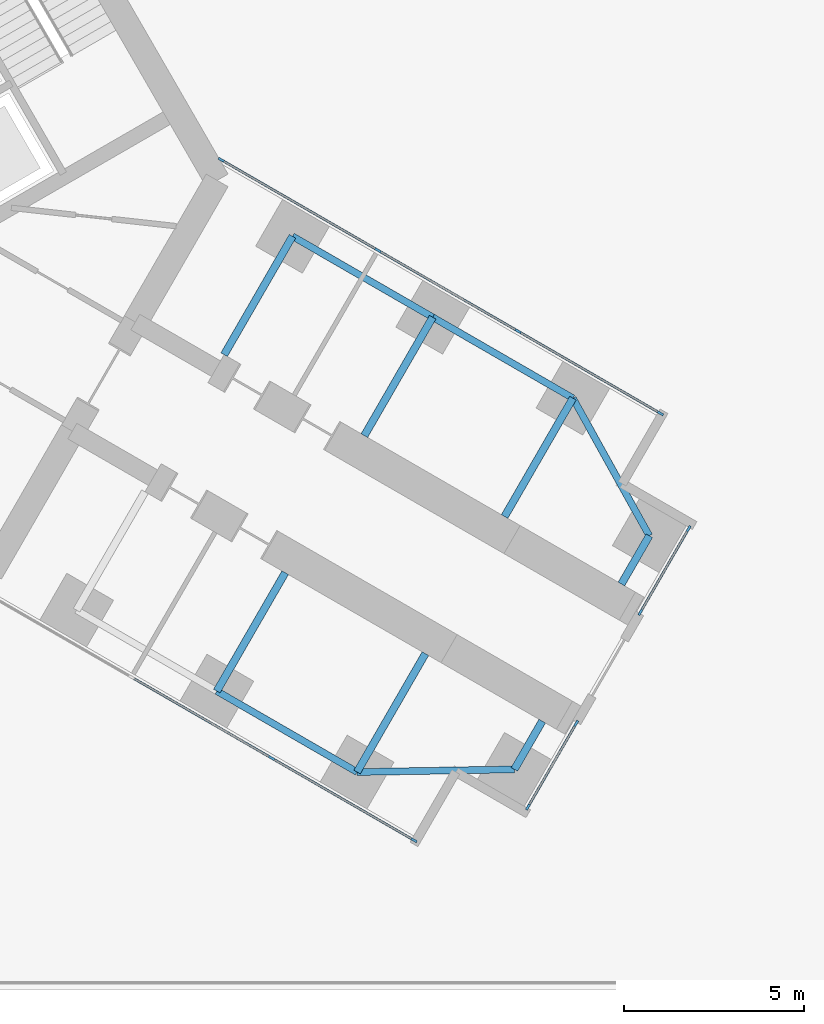
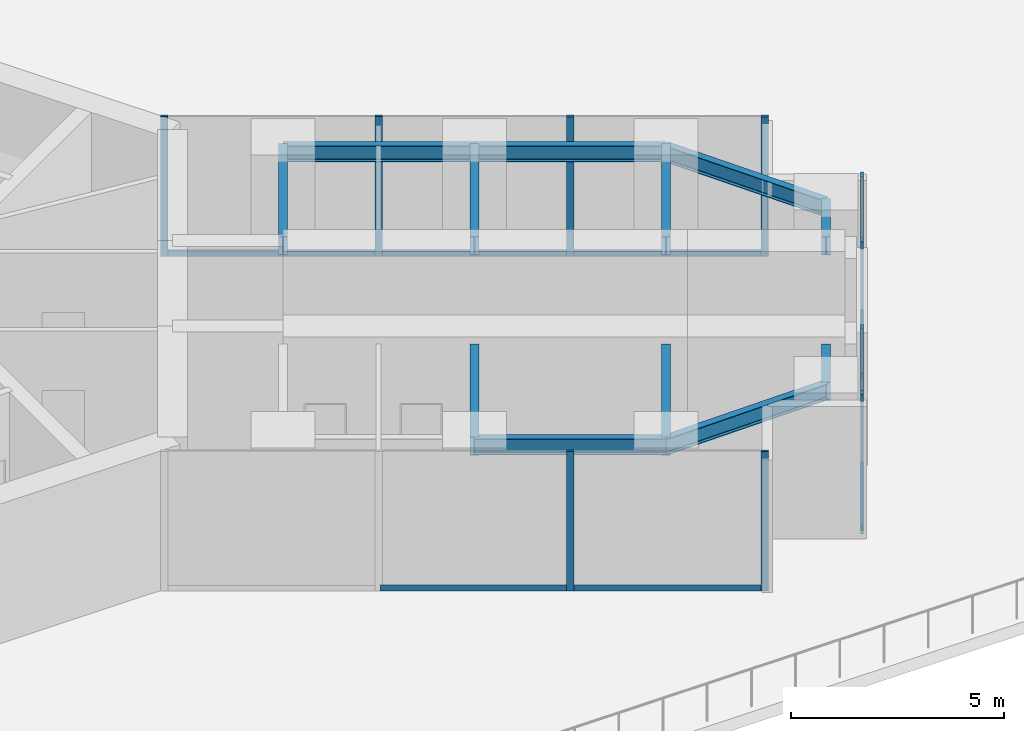
# One storey, part 8 of 23: 17 members, 12 beams, 4 elements without a shape of their own.
"""IFC4 building model written with IfcOpenShell, lengths in metres."""

from ifc_helpers import new_model, si_unit, direction, frame, origin, origin_2d, place, context, subcontext, project, spatial, rectangle, i_section, extrude, material, material_profile, profile_set, type_object, element, aggregate, save


model = new_model("IFC4")

# Units and contexts
model_context = context("Model", 3, precision=1e-05, world=origin(), true_north=direction((0.0, 1.0)))
body_context = subcontext(model_context, "Body", "Model", "MODEL_VIEW")
ifc_project = project(units=[si_unit("LENGTHUNIT", "METRE"), si_unit("AREAUNIT", "SQUARE_METRE"), si_unit("VOLUMEUNIT", "CUBIC_METRE"), si_unit("PLANEANGLEUNIT", "RADIAN"), si_unit("MASSUNIT", "GRAM", prefix="KILO")], contexts=[model_context])

# Site, building, storey
site_placement = place(None, origin())
site = spatial("IfcSite", under=ifc_project, at=site_placement, CompositionType="ELEMENT")
building_placement = place(site_placement, origin())
building = spatial("IfcBuilding", under=site, at=building_placement, Name="Upepo Twin Towers", CompositionType="ELEMENT")
storey_placement = place(building_placement, frame((0.0, 0.0, 20.5)))
storey = spatial("IfcBuildingStorey", under=building, at=storey_placement, Name="L04", CompositionType="ELEMENT", Elevation=20.5)

# Beams
ifc_material_1 = material(Name="Steel S355", Category="steel")
ifc_material_profile_1 = material_profile(ifc_material_1, i_section(OverallWidth=0.1904296875, OverallDepth=0.45703125, WebThickness=0.009033203125, FlangeThickness=0.014404296875, FilletRadius=0.01025390625, at=origin_2d()), Name="UB 457x191x74")
ifc_profile_set_1 = profile_set([ifc_material_profile_1], Name="Steel S355")
beam_type_1 = type_object("IfcBeamType", Name="Beam UB 457x191x74", PredefinedType="BEAM", material=ifc_profile_set_1)
beam_1_placement = place(storey_placement, frame((73.19140625, -19.553955078125, 3.571533203125), z_axis=(0.866017533419, -0.500013631625, 0.0), x_axis=(0.500013631625, 0.866017533419, 0.0)))
element("IfcBeam", 1, at=beam_1_placement, inside=storey, type_object=beam_type_1, Name="T2 edge beam CL 13.5-18.0", PredefinedType="BEAM", context=body_context, shape_type="SweptSolid", body=[
    extrude(i_section(OverallWidth=0.1904296875, OverallDepth=0.45703125, WebThickness=0.009033203125, FlangeThickness=0.014404296875, FilletRadius=0.01025390625, at=origin_2d()), origin(), (0.0, 0.0, 1.0), 4.499755859375),
])
beam_2_placement = place(storey_placement, frame((77.08837890625, -21.803955078125, 3.571533203125), z_axis=(0.866031096941, -0.499990139034, 0.0), x_axis=(0.499990139034, 0.866031096941, 0.0)))
element("IfcBeam", 2, at=beam_2_placement, inside=storey, type_object=beam_type_1, Name="T2 edge beam CL 18.0-22.5", PredefinedType="BEAM", context=body_context, shape_type="SweptSolid", body=[
    extrude(i_section(OverallWidth=0.1904296875, OverallDepth=0.45703125, WebThickness=0.009033203125, FlangeThickness=0.014404296875, FilletRadius=0.01025390625, at=origin_2d()), origin(), (0.0, 0.0, 1.0), 4.5),
])
beam_3_placement = place(storey_placement, frame((80.985595703125, -24.053955078125, 3.571533203125), z_axis=(0.485363242752, -0.874312600038, 0.0), x_axis=(0.874312600038, 0.485363242752, 0.0)))
element("IfcBeam", 3, at=beam_3_placement, inside=storey, type_object=beam_type_1, Name="T2 nose edge beam CL", PredefinedType="BEAM", context=body_context, shape_type="SweptSolid", body=[
    extrude(i_section(OverallWidth=0.1904296875, OverallDepth=0.45703125, WebThickness=0.009033203125, FlangeThickness=0.014404296875, FilletRadius=0.01025390625, at=origin_2d()), origin(), (0.0, 0.0, 1.0), 4.373046875),
])
beam_4_placement = place(storey_placement, frame((71.08837890625, -32.196044921875, 3.571533203125), z_axis=(0.866031096941, -0.499990139034, 0.0), x_axis=(0.499990139034, 0.866031096941, 0.0)))
element("IfcBeam", 4, at=beam_4_placement, inside=storey, type_object=beam_type_1, Name="T2 edge beam CR 18.0-22.5", PredefinedType="BEAM", context=body_context, shape_type="SweptSolid", body=[
    extrude(i_section(OverallWidth=0.1904296875, OverallDepth=0.45703125, WebThickness=0.009033203125, FlangeThickness=0.014404296875, FilletRadius=0.01025390625, at=origin_2d()), origin(), (0.0, 0.0, 1.0), 4.5),
])
beam_5_placement = place(storey_placement, frame((74.985595703125, -34.446044921875, 3.571533203125), z_axis=(0.999858804832, 0.016803880528, 0.0), x_axis=(-0.016803880528, 0.999858804832, 0.0)))
element("IfcBeam", 5, at=beam_5_placement, inside=storey, type_object=beam_type_1, Name="T2 nose edge beam CR", PredefinedType="BEAM", context=body_context, shape_type="SweptSolid", body=[
    extrude(i_section(OverallWidth=0.1904296875, OverallDepth=0.45703125, WebThickness=0.009033203125, FlangeThickness=0.014404296875, FilletRadius=0.01025390625, at=origin_2d()), origin(), (0.0, 0.0, 1.0), 4.373291015625),
])
ifc_material_2 = material(Name="Steel S355", Category="steel")
ifc_material_profile_2 = material_profile(ifc_material_2, i_section(OverallWidth=0.2099609375, OverallDepth=0.53662109375, WebThickness=0.0107421875, FlangeThickness=0.017333984375, FilletRadius=0.0126953125, at=origin_2d()), Name="UB 533x210x101")
ifc_profile_set_2 = profile_set([ifc_material_profile_2], Name="Steel S355")
beam_type_2 = type_object("IfcBeamType", Name="Beam UB 533x210x101", PredefinedType="BEAM", material=ifc_profile_set_2)
for number, where, z_axis, x_axis, name in (
    (6, (83.108154296875, -27.87744140625, 3.53173828125), (-0.499967891604, -0.866043940782, 0.0), (0.866043940782, -0.499967891604, 0.0), "T2 nose beam CL"),
    (7, (79.358154296875, -34.37255859375, 3.53173828125), (0.499967891604, 0.866043940782, 0.0), (-0.866043940782, 0.499967891604, 0.0), "T2 nose beam CR"),
):
    element("IfcBeam", number, at=place(storey_placement, frame(where, z_axis=z_axis, x_axis=x_axis)), inside=storey, type_object=beam_type_2, Name=name, PredefinedType="BEAM", context=body_context, shape_type="SweptSolid", body=[
        extrude(i_section(OverallWidth=0.2099609375, OverallDepth=0.53662109375, WebThickness=0.0107421875, FlangeThickness=0.017333984375, FilletRadius=0.0126953125, at=origin_2d()), origin(), (0.0, 0.0, 1.0), 1.5498046875),
    ])
ifc_material_3 = material(Name="Steel S355", Category="steel")
ifc_material_profile_3 = material_profile(ifc_material_3, i_section(OverallWidth=0.209228515625, OverallDepth=0.533203125, WebThickness=0.010009765625, FlangeThickness=0.015625, FilletRadius=0.0126953125, at=origin_2d()), Name="UB 533x210x92")
ifc_profile_set_3 = profile_set([ifc_material_profile_3], Name="Steel S355")
beam_type_3 = type_object("IfcBeamType", Name="Beam UB 533x210x92", PredefinedType="BEAM", material=ifc_profile_set_3)
beam_6_placement = place(storey_placement, frame((73.19140625, -19.553955078125, 3.533447265625), z_axis=(-0.500043160704, -0.866000483506, 0.0), x_axis=(0.866000483506, -0.500043160704, 0.0)))
element("IfcBeam", 8, at=beam_6_placement, inside=storey, type_object=beam_type_3, Name="T2 girder CL at 13.5", PredefinedType="BEAM", context=body_context, shape_type="SweptSolid", body=[
    extrude(i_section(OverallWidth=0.209228515625, OverallDepth=0.533203125, WebThickness=0.010009765625, FlangeThickness=0.015625, FilletRadius=0.0126953125, at=origin_2d()), origin(), (0.0, 0.0, 1.0), 3.800048828125),
])
for number, where, z_axis, x_axis, name in (
    (9, (77.08837890625, -21.803955078125, 3.533447265625), (-0.499994975061, -0.866028304915, 0.0), (0.866028304915, -0.499994975061, 0.0), "T2 girder CL at 18.0"),
    (10, (80.985595703125, -24.053955078125, 3.533447265625), (-0.499994975061, -0.866028304915, 0.0), (0.866028304915, -0.499994975061, 0.0), "T2 girder CL at 22.5"),
):
    element("IfcBeam", number, at=place(storey_placement, frame(where, z_axis=z_axis, x_axis=x_axis)), inside=storey, type_object=beam_type_3, Name=name, PredefinedType="BEAM", context=body_context, shape_type="SweptSolid", body=[
        extrude(i_section(OverallWidth=0.209228515625, OverallDepth=0.533203125, WebThickness=0.010009765625, FlangeThickness=0.015625, FilletRadius=0.0126953125, at=origin_2d()), origin(), (0.0, 0.0, 1.0), 3.7998046875),
    ])
beam_7_placement = place(storey_placement, frame((71.08837890625, -32.196044921875, 3.533447265625), z_axis=(0.500043160704, 0.866000483506, 0.0), x_axis=(-0.866000483506, 0.500043160704, 0.0)))
element("IfcBeam", 11, at=beam_7_placement, inside=storey, type_object=beam_type_3, Name="T2 girder CR at 18.0", PredefinedType="BEAM", context=body_context, shape_type="SweptSolid", body=[
    extrude(i_section(OverallWidth=0.209228515625, OverallDepth=0.533203125, WebThickness=0.010009765625, FlangeThickness=0.015625, FilletRadius=0.0126953125, at=origin_2d()), origin(), (0.0, 0.0, 1.0), 3.800048828125),
])
beam_8_placement = place(storey_placement, frame((74.985595703125, -34.446044921875, 3.533447265625), z_axis=(0.499994975061, 0.866028304915, 0.0), x_axis=(-0.866028304915, 0.499994975061, 0.0)))
element("IfcBeam", 12, at=beam_8_placement, inside=storey, type_object=beam_type_3, Name="T2 girder CR at 22.5", PredefinedType="BEAM", context=body_context, shape_type="SweptSolid", body=[
    extrude(i_section(OverallWidth=0.209228515625, OverallDepth=0.533203125, WebThickness=0.010009765625, FlangeThickness=0.015625, FilletRadius=0.0126953125, at=origin_2d()), origin(), (0.0, 0.0, 1.0), 3.7998046875),
])

# Curtain wall, members
ifc_material_4 = material(Name="Aluminium and fritted glass", Category="aluminium")
curtain_wall_type = type_object("IfcCurtainWallType", Name="Tower curtain wall TW1, fritted glass", PredefinedType="NOTDEFINED", material=ifc_material_4)
curtain_wall_1_placement = place(storey_placement, origin())
curtain_wall_1 = element("IfcCurtainWall", 13, at=curtain_wall_1_placement, inside=storey, type_object=curtain_wall_type, Name="T2 L04 wing C flank L curtain wall", PredefinedType="NOTDEFINED")
ifc_material_5 = material(Name="Aluminium mullion", Category="aluminium")
ifc_material_profile_4 = material_profile(ifc_material_5, rectangle(XDim=0.06494140625, YDim=0.179931640625, at=origin_2d()), Name="MULLION 65x180")
ifc_profile_set_4 = profile_set([ifc_material_profile_4], Name="Aluminium mullion")
member_type_1 = type_object("IfcMemberType", Name="Mullion 65x180 TW1", PredefinedType="MULLION", material=ifc_profile_set_4)
member_1_placement = place(storey_placement, frame((71.20849609375, -17.427490234375, 0.0), z_axis=(0.0, 0.0, 1.0), x_axis=(0.500000024426, 0.866025389682, 0.0)))
member_1 = element("IfcMember", 14, at=member_1_placement, type_object=member_type_1, Name="T2 L04 wing C flank L curtain wall mullion 1", PredefinedType="MULLION", context=body_context, shape_type="SweptSolid", body=[
    extrude(rectangle(XDim=0.06494140625, YDim=0.179931640625, at=origin_2d()), origin(), (0.0, 0.0, 1.0), 4.0),
])
member_2_placement = place(storey_placement, frame((75.56494140625, -19.942626953125, 0.0), z_axis=(0.0, 0.0, 1.0), x_axis=(0.500000024426, 0.866025389682, 0.0)))
member_2 = element("IfcMember", 15, at=member_2_placement, type_object=member_type_1, Name="T2 L04 wing C flank L curtain wall mullion 2", PredefinedType="MULLION", context=body_context, shape_type="SweptSolid", body=[
    extrude(rectangle(XDim=0.06494140625, YDim=0.179931640625, at=origin_2d()), origin(), (0.0, 0.0, 1.0), 4.0),
])
member_3_placement = place(storey_placement, frame((79.4619140625, -22.192626953125, 0.0), z_axis=(0.0, 0.0, 1.0), x_axis=(0.500000024426, 0.866025389682, 0.0)))
member_3 = element("IfcMember", 16, at=member_3_placement, type_object=member_type_1, Name="T2 L04 wing C flank L curtain wall mullion 3", PredefinedType="MULLION", context=body_context, shape_type="SweptSolid", body=[
    extrude(rectangle(XDim=0.06494140625, YDim=0.179931640625, at=origin_2d()), origin(), (0.0, 0.0, 1.0), 4.0),
])
member_4_placement = place(storey_placement, frame((83.41748046875, -24.4765625, 0.0), z_axis=(0.0, 0.0, 1.0), x_axis=(0.500000024426, 0.866025389682, 0.0)))
member_4 = element("IfcMember", 17, at=member_4_placement, type_object=member_type_1, Name="T2 L04 wing C flank L curtain wall mullion 4", PredefinedType="MULLION", context=body_context, shape_type="SweptSolid", body=[
    extrude(rectangle(XDim=0.06494140625, YDim=0.179931640625, at=origin_2d()), origin(), (0.0, 0.0, 1.0), 4.0),
])

curtain_wall_2_placement = place(storey_placement, origin())
curtain_wall_2 = element("IfcCurtainWall", 18, at=curtain_wall_2_placement, inside=storey, type_object=curtain_wall_type, Name="T2 L04 wing C flank R curtain wall", PredefinedType="NOTDEFINED")
member_5_placement = place(storey_placement, frame((76.567626953125, -36.341064453125, 0.0), z_axis=(0.0, 0.0, 1.0), x_axis=(-0.500000024426, -0.866025389682, 0.0)))
member_5 = element("IfcMember", 19, at=member_5_placement, type_object=member_type_1, Name="T2 L04 wing C flank R curtain wall mullion 1", PredefinedType="MULLION", context=body_context, shape_type="SweptSolid", body=[
    extrude(rectangle(XDim=0.06494140625, YDim=0.179931640625, at=origin_2d()), origin(), (0.0, 0.0, 1.0), 4.0),
])
member_6_placement = place(storey_placement, frame((72.612060546875, -34.057373046875, 0.0), z_axis=(0.0, 0.0, 1.0), x_axis=(-0.500000024426, -0.866025389682, 0.0)))
member_6 = element("IfcMember", 20, at=member_6_placement, type_object=member_type_1, Name="T2 L04 wing C flank R curtain wall mullion 2", PredefinedType="MULLION", context=body_context, shape_type="SweptSolid", body=[
    extrude(rectangle(XDim=0.06494140625, YDim=0.179931640625, at=origin_2d()), origin(), (0.0, 0.0, 1.0), 4.0),
])

curtain_wall_3_placement = place(storey_placement, origin())
curtain_wall_3 = element("IfcCurtainWall", 21, at=curtain_wall_3_placement, inside=storey, type_object=curtain_wall_type, Name="T2 L04 wing C nose curtain wall 0", PredefinedType="NOTDEFINED")
member_7_placement = place(storey_placement, frame((79.735595703125, -35.4189453125, 0.0), z_axis=(0.0, 0.0, 1.0), x_axis=(-0.866025416473, 0.499999978023, 0.0)))
member_7 = element("IfcMember", 22, at=member_7_placement, type_object=member_type_1, Name="T2 L04 wing C nose curtain wall 0 mullion 1", PredefinedType="MULLION", context=body_context, shape_type="SweptSolid", body=[
    extrude(rectangle(XDim=0.06494140625, YDim=0.179931640625, at=origin_2d()), origin(), (0.0, 0.0, 1.0), 4.0),
])
member_8_placement = place(storey_placement, frame((81.078125, -33.09375, 0.0), z_axis=(0.0, 0.0, 1.0), x_axis=(-0.866025416473, 0.499999978023, 0.0)))
member_8 = element("IfcMember", 23, at=member_8_placement, type_object=member_type_1, Name="T2 L04 wing C nose curtain wall 0 mullion 2", PredefinedType="MULLION", context=body_context, shape_type="SweptSolid", body=[
    extrude(rectangle(XDim=0.06494140625, YDim=0.179931640625, at=origin_2d()), origin(), (0.0, 0.0, 1.0), 4.0),
])

curtain_wall_4_placement = place(storey_placement, origin())
curtain_wall_4 = element("IfcCurtainWall", 24, at=curtain_wall_4_placement, inside=storey, type_object=curtain_wall_type, Name="T2 L04 wing C nose curtain wall 2", PredefinedType="NOTDEFINED")
member_9_placement = place(storey_placement, frame((82.860595703125, -30.00634765625, 0.0), z_axis=(0.0, 0.0, 1.0), x_axis=(-0.866025416473, 0.499999978023, 0.0)))
member_9 = element("IfcMember", 25, at=member_9_placement, type_object=member_type_1, Name="T2 L04 wing C nose curtain wall 2 mullion 1", PredefinedType="MULLION", context=body_context, shape_type="SweptSolid", body=[
    extrude(rectangle(XDim=0.06494140625, YDim=0.179931640625, at=origin_2d()), origin(), (0.0, 0.0, 1.0), 4.0),
])
member_10_placement = place(storey_placement, frame((84.203125, -27.68115234375, 0.0), z_axis=(0.0, 0.0, 1.0), x_axis=(-0.866025416473, 0.499999978023, 0.0)))
member_10 = element("IfcMember", 26, at=member_10_placement, type_object=member_type_1, Name="T2 L04 wing C nose curtain wall 2 mullion 2", PredefinedType="MULLION", context=body_context, shape_type="SweptSolid", body=[
    extrude(rectangle(XDim=0.06494140625, YDim=0.179931640625, at=origin_2d()), origin(), (0.0, 0.0, 1.0), 4.0),
])

# Member
ifc_material_6 = material(Name="Aluminium transom", Category="aluminium")
ifc_material_profile_5 = material_profile(ifc_material_6, rectangle(XDim=0.06494140625, YDim=0.14990234375, at=origin_2d()), Name="TRANSOM 65x150")
ifc_profile_set_5 = profile_set([ifc_material_profile_5], Name="Aluminium transom")
member_type_2 = type_object("IfcMemberType", Name="Transom 65x150 TW1", PredefinedType="USERDEFINED", material=ifc_profile_set_5)
member_11_placement = place(storey_placement, frame((71.236572265625, -17.44384765625, 0.074951171875), z_axis=(0.866034933967, -0.499983492876, 0.0), x_axis=(0.499983492876, 0.866034933967, 0.0)))
member_11 = element("IfcMember", 27, at=member_11_placement, type_object=member_type_2, Name="T2 L04 wing C flank L curtain wall transom 1", ObjectType="TRANSOM", PredefinedType="USERDEFINED", context=body_context, shape_type="SweptSolid", body=[
    extrude(rectangle(XDim=0.06494140625, YDim=0.14990234375, at=origin_2d()), origin(), (0.0, 0.0, 1.0), 4.965576171875),
])

member_12_placement = place(storey_placement, frame((75.593017578125, -19.958984375, 0.074951171875), z_axis=(0.866022410713, -0.500005184116, 0.0), x_axis=(0.500005184116, 0.866022410713, 0.0)))
member_12 = element("IfcMember", 28, at=member_12_placement, type_object=member_type_2, Name="T2 L04 wing C flank L curtain wall transom 2", ObjectType="TRANSOM", PredefinedType="USERDEFINED", context=body_context, shape_type="SweptSolid", body=[
    extrude(rectangle(XDim=0.06494140625, YDim=0.14990234375, at=origin_2d()), origin(), (0.0, 0.0, 1.0), 4.43505859375),
])

member_13_placement = place(storey_placement, frame((79.490234375, -22.208984375, 0.074951171875), z_axis=(0.866022143554, -0.500005646842, 0.0), x_axis=(0.500005646842, 0.866022143554, 0.0)))
member_13 = element("IfcMember", 29, at=member_13_placement, type_object=member_type_2, Name="T2 L04 wing C flank L curtain wall transom 3", ObjectType="TRANSOM", PredefinedType="USERDEFINED", context=body_context, shape_type="SweptSolid", body=[
    extrude(rectangle(XDim=0.06494140625, YDim=0.14990234375, at=origin_2d()), origin(), (0.0, 0.0, 1.0), 4.50244140625),
])

aggregate(curtain_wall_1, [member_1, member_2, member_3, member_4, member_11, member_12, member_13])

member_14_placement = place(storey_placement, frame((76.53955078125, -36.32470703125, 0.074951171875), z_axis=(-0.866035699072, 0.499982167615, 0.0), x_axis=(-0.499982167615, -0.866035699072, 0.0)))
member_14 = element("IfcMember", 30, at=member_14_placement, type_object=member_type_2, Name="T2 L04 wing C flank R curtain wall transom 1", ObjectType="TRANSOM", PredefinedType="USERDEFINED", context=body_context, shape_type="SweptSolid", body=[
    extrude(rectangle(XDim=0.06494140625, YDim=0.14990234375, at=origin_2d()), origin(), (0.0, 0.0, 1.0), 4.502685546875),
])

member_15_placement = place(storey_placement, frame((72.583984375, -34.041015625, 0.074951171875), z_axis=(-0.866022410713, 0.500005184116, 0.0), x_axis=(-0.500005184116, -0.866022410713, 0.0)))
member_15 = element("IfcMember", 31, at=member_15_placement, type_object=member_type_2, Name="T2 L04 wing C flank R curtain wall transom 2", ObjectType="TRANSOM", PredefinedType="USERDEFINED", context=body_context, shape_type="SweptSolid", body=[
    extrude(rectangle(XDim=0.06494140625, YDim=0.14990234375, at=origin_2d()), origin(), (0.0, 0.0, 1.0), 4.43505859375),
])

aggregate(curtain_wall_2, [member_5, member_6, member_14, member_15])

member_16_placement = place(storey_placement, frame((79.751708984375, -35.390869140625, 0.074951171875), z_axis=(0.500007449647, 0.866021102686, 0.0), x_axis=(-0.866021102686, 0.500007449647, 0.0)))
member_16 = element("IfcMember", 32, at=member_16_placement, type_object=member_type_2, Name="T2 L04 wing C nose curtain wall 0 transom 1", ObjectType="TRANSOM", PredefinedType="USERDEFINED", context=body_context, shape_type="SweptSolid", body=[
    extrude(rectangle(XDim=0.06494140625, YDim=0.14990234375, at=origin_2d()), origin(), (0.0, 0.0, 1.0), 2.6201171875),
])

aggregate(curtain_wall_3, [member_7, member_8, member_16])

member_17_placement = place(storey_placement, frame((82.876708984375, -29.978271484375, 0.074951171875), z_axis=(0.500007449647, 0.866021102686, 0.0), x_axis=(-0.866021102686, 0.500007449647, 0.0)))
member_17 = element("IfcMember", 33, at=member_17_placement, type_object=member_type_2, Name="T2 L04 wing C nose curtain wall 2 transom 1", ObjectType="TRANSOM", PredefinedType="USERDEFINED", context=body_context, shape_type="SweptSolid", body=[
    extrude(rectangle(XDim=0.06494140625, YDim=0.14990234375, at=origin_2d()), origin(), (0.0, 0.0, 1.0), 2.6201171875),
])

aggregate(curtain_wall_4, [member_9, member_10, member_17])

save(model, "model.ifc")
